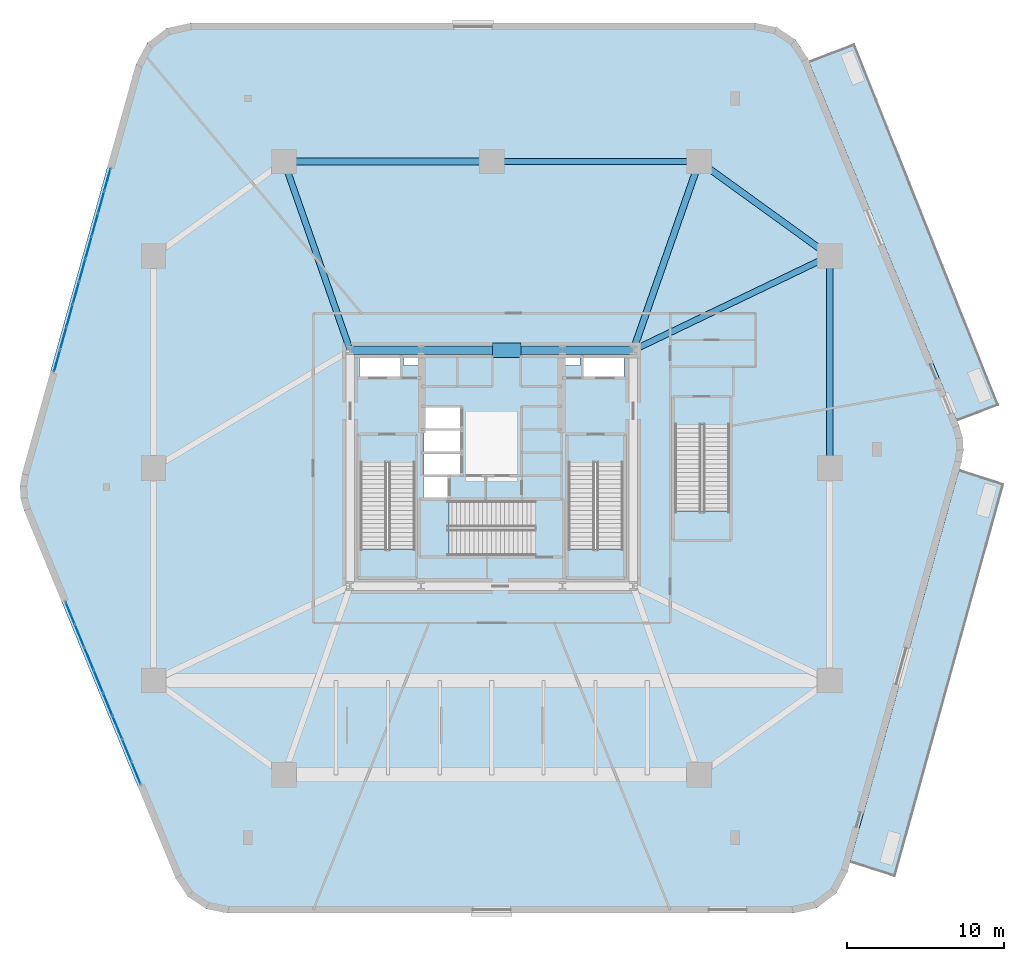
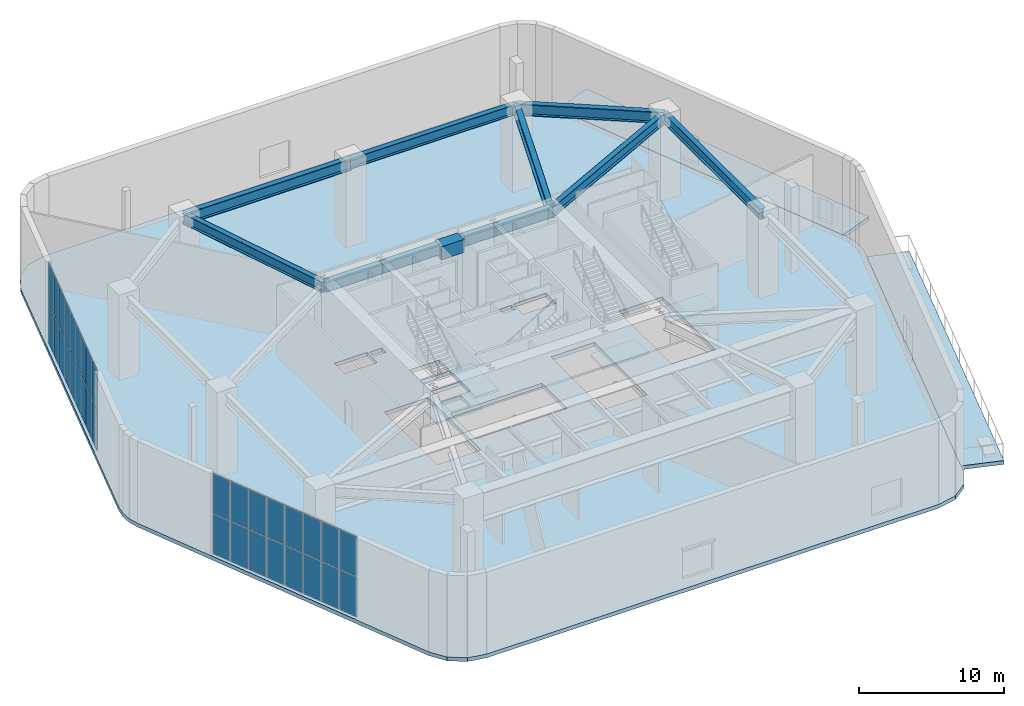
# One storey, part 9 of 17: 34 plates, 11 beams, 7 slabs, 6 elements without a shape of their own.
"""IFC4 building model written with IfcOpenShell, lengths in metres."""

import ifcopenshell
import ifcopenshell.guid

model = None  # the IFC model being written
_history = None  # IfcOwnerHistory: only IFC2X3 demands one
_inside = {}  # id of a spatial element -> (the spatial element, [elements in it])
_under = {}  # id of a project, library or spatial element -> (it, [spatial elements below it])
_declared = {}  # id of a project -> (the project, [libraries it declares])
_typed = {}  # id of a type object -> (the type object, [elements of that type])
_made_of = {}  # id of a material, layer set ... -> (it, [elements and type objects made of it])


def new_model(schema):
    """Start an empty IFC model of exactly this schema.

    Asked for "IFC4X3", IfcOpenShell would pick the latest addendum, in which some entities
    have other attributes; the version numbers below select the first issue.
    IFC2X3 requires an IfcOwnerHistory on every rooted entity: one is made here for all.
    """
    global model, _history
    if schema == "IFC4X3":
        model = ifcopenshell.file(schema_version=(4, 3, 0, 0))
    else:
        model = ifcopenshell.file(schema=schema)
    _inside.clear()
    _under.clear()
    _declared.clear()
    _typed.clear()
    _made_of.clear()
    _history = None
    if model.schema == "IFC2X3":
        org = make("IfcOrganization", Name="unknown")
        user = make(
            "IfcPersonAndOrganization",
            ThePerson=make("IfcPerson", FamilyName="unknown"),
            TheOrganization=org,
        )
        app = make(
            "IfcApplication",
            ApplicationDeveloper=org,
            Version="unknown",
            ApplicationFullName="unknown",
            ApplicationIdentifier="unknown",
        )
        _history = make(
            "IfcOwnerHistory",
            OwningUser=user,
            OwningApplication=app,
            ChangeAction="ADDED",
            CreationDate=0,
        )
    return model


def make(cls, **values):
    """One entity of the class cls with the attributes given. An attribute that is None is left unset."""
    return model.create_entity(
        cls, **{name: value for name, value in values.items() if value is not None}
    )


def rooted(cls, **values):
    """An entity with a GlobalId (a new one), such as an element, a storey or a relation."""
    return make(cls, GlobalId=ifcopenshell.guid.new(), OwnerHistory=_history, **values)


def si_unit(unit_type, name, prefix=None):
    """IfcSIUnit, for example si_unit("LENGTHUNIT", "METRE", prefix="MILLI")."""
    return make("IfcSIUnit", UnitType=unit_type, Prefix=prefix, Name=name)


def assignment(units):
    """IfcUnitAssignment: the units of a project."""
    return None if units is None else make("IfcUnitAssignment", Units=units)


def point(xyz):
    """IfcCartesianPoint."""
    return None if xyz is None else make("IfcCartesianPoint", Coordinates=xyz)


def direction(xyz):
    """IfcDirection."""
    return None if xyz is None else make("IfcDirection", DirectionRatios=xyz)


def frame(location, z_axis=None, x_axis=None):
    """IfcAxis2Placement3D, a coordinate frame: its origin and axes. An axis left out is left unset."""
    return make(
        "IfcAxis2Placement3D",
        Location=point(location),
        Axis=direction(z_axis),
        RefDirection=direction(x_axis),
    )


def frame_2d(location, x_axis=None):
    """IfcAxis2Placement2D, a coordinate frame in the plane: its origin and x axis."""
    return make(
        "IfcAxis2Placement2D", Location=point(location), RefDirection=direction(x_axis)
    )


def origin():
    """The frame at (0, 0, 0) with its axes left unset."""
    return frame((0.0, 0.0, 0.0))


def origin_2d():
    """The frame at (0, 0) in the plane with its x axis left unset."""
    return frame_2d((0.0, 0.0))


def place(relative_to, where):
    """IfcLocalPlacement: puts the frame where relative to a parent placement (None: the world)."""
    return make(
        "IfcLocalPlacement", PlacementRelTo=relative_to, RelativePlacement=where
    )


def context(
    kind, dimensions, precision=None, world=None, true_north=None, identifier=None
):
    """IfcGeometricRepresentationContext, for example the 3D "Model" context."""
    return make(
        "IfcGeometricRepresentationContext",
        ContextIdentifier=identifier,
        ContextType=kind,
        CoordinateSpaceDimension=dimensions,
        Precision=precision,
        WorldCoordinateSystem=world,
        TrueNorth=true_north,
    )


def subcontext(parent, identifier, kind, view, scale=None):
    """IfcGeometricRepresentationSubContext, for example "Body" below "Model"."""
    return make(
        "IfcGeometricRepresentationSubContext",
        ContextIdentifier=identifier,
        ContextType=kind,
        ParentContext=parent,
        TargetScale=scale,
        TargetView=view,
    )


def project(units=None, contexts=None):
    """IfcProject with its units and contexts."""
    return rooted(
        "IfcProject",
        Name="project",
        RepresentationContexts=contexts,
        UnitsInContext=assignment(units),
    )


def spatial(cls, under=None, at=None, **own):
    """A site, building, storey or space (cls), placed at a placement, below another one or the project."""
    s = rooted(cls, ObjectPlacement=at, **own)
    if under is not None:
        _under.setdefault(under.id(), (under, []))[1].append(s)
    return s


def polyline(points):
    """IfcPolyline through the points."""
    return make("IfcPolyline", Points=[point(p) for p in points])


def profile(cls, at=None, kind="AREA", **sizes):
    """A parametric profile (cls). Its sizes go by their IFC names, for example OverallWidth=200.0."""
    return make(cls, ProfileType=kind, Position=at, **sizes)


def rectangle(**sizes):
    """IfcRectangleProfileDef."""
    return profile("IfcRectangleProfileDef", **sizes)


def i_section(**sizes):
    """IfcIShapeProfileDef."""
    return profile("IfcIShapeProfileDef", **sizes)


def outline(outer, holes=None, kind="AREA"):
    """IfcArbitraryClosedProfileDef: a profile drawn as a closed curve; with holes, ...WithVoids."""
    if holes is None:
        return make("IfcArbitraryClosedProfileDef", ProfileType=kind, OuterCurve=outer)
    return make(
        "IfcArbitraryProfileDefWithVoids",
        ProfileType=kind,
        OuterCurve=outer,
        InnerCurves=holes,
    )


def extrude(swept, where, along, depth):
    """IfcExtrudedAreaSolid: the profile swept, set in the frame where, extruded along a direction by depth."""
    return make(
        "IfcExtrudedAreaSolid",
        SweptArea=swept,
        Position=where,
        ExtrudedDirection=direction(along),
        Depth=depth,
    )


def shape(context_of_items, identifier, shape_type, items):
    """IfcShapeRepresentation: the items that make up one representation, for example the "Body"."""
    return make(
        "IfcShapeRepresentation",
        ContextOfItems=context_of_items,
        RepresentationIdentifier=identifier,
        RepresentationType=shape_type,
        Items=items,
    )


def material(Name=None, Category=None):
    """IfcMaterial."""
    return make("IfcMaterial", Name=Name, Category=Category)


def layer(
    of_material, thickness, ventilated=None, Name=None, Category=None, Priority=None
):
    """IfcMaterialLayer: one layer of a wall or slab, of a material (None: an air gap)."""
    return make(
        "IfcMaterialLayer",
        Material=of_material,
        LayerThickness=thickness,
        IsVentilated=ventilated,
        Name=Name,
        Category=Category,
        Priority=Priority,
    )


def layer_set(layers, Name=None):
    """IfcMaterialLayerSet."""
    return make("IfcMaterialLayerSet", MaterialLayers=layers, LayerSetName=Name)


def material_profile(
    of_material, cross_section, Name=None, Category=None, Priority=None
):
    """IfcMaterialProfile: a cross section and its material."""
    return make(
        "IfcMaterialProfile",
        Name=Name,
        Material=of_material,
        Profile=cross_section,
        Priority=Priority,
        Category=Category,
    )


def profile_set(profiles, Name=None, composite=None):
    """IfcMaterialProfileSet."""
    return make(
        "IfcMaterialProfileSet",
        Name=Name,
        MaterialProfiles=profiles,
        CompositeProfile=composite,
    )


def made_of(thing, what):
    """Note that an element or type object is made of a material, layer set ...; save() writes the relation."""
    if what is not None:
        _made_of.setdefault(what.id(), (what, []))[1].append(thing)
    return thing


def type_object(cls, material=None, **own):
    """A type object (cls), such as IfcWallType, which elements share."""
    return made_of(rooted(cls, **own), material)


def element(
    cls,
    number,
    at=None,
    inside=None,
    cuts=None,
    type_object=None,
    material=None,
    context=None,
    identifier="Body",
    shape_type=None,
    held_by="IfcProductDefinitionShape",
    body=None,
    shapes=None,
    **own,
):
    """One element of the class cls, such as IfcWall. Its Tag is "e" and its number.

    at: its placement. inside: the storey or other place that contains it. cuts: it is an
    opening in that element (IfcRelVoidsElement). A single representation is given by context,
    identifier, shape_type and body (its items); several are given by shapes. held_by: the class
    of the entity that holds the representations. save() writes the other relations.
    """
    e = rooted(cls, Tag="e%d" % number, ObjectPlacement=at, **own)
    if body is not None:
        shapes = [shape(context, identifier, shape_type, body)]
    if shapes is not None:
        e.Representation = make(held_by, Representations=shapes)
    if inside is not None:
        _inside.setdefault(inside.id(), (inside, []))[1].append(e)
    if cuts is not None:
        rooted(
            "IfcRelVoidsElement", RelatingBuildingElement=cuts, RelatedOpeningElement=e
        )
    if type_object is not None:
        _typed.setdefault(type_object.id(), (type_object, []))[1].append(e)
    return made_of(e, material)


def aggregate(whole, parts):
    """IfcRelAggregates: a whole, such as a stair, and the parts it consists of."""
    return rooted("IfcRelAggregates", RelatingObject=whole, RelatedObjects=parts)


def save(model, path):
    """Write the relations noted so far, then the file.

    IfcRelAggregates (storeys below a building ...), IfcRelContainedInSpatialStructure (elements
    in a storey), IfcRelDefinesByType, IfcRelAssociatesMaterial and IfcRelDeclares: one each for
    every whole, place, type object, material and project.
    """
    for whole, parts in _under.values():
        aggregate(whole, parts)
    for where, things in _inside.values():
        rooted(
            "IfcRelContainedInSpatialStructure",
            RelatedElements=things,
            RelatingStructure=where,
        )
    for kind, things in _typed.values():
        rooted("IfcRelDefinesByType", RelatedObjects=things, RelatingType=kind)
    for what, things in _made_of.values():
        rooted("IfcRelAssociatesMaterial", RelatedObjects=things, RelatingMaterial=what)
    for by, libraries in _declared.values():
        rooted("IfcRelDeclares", RelatingContext=by, RelatedDefinitions=libraries)
    model.write(path)


model = new_model("IFC4")

# Units and contexts
model_context = context("Model", 3, precision=1e-05, world=origin(), true_north=direction((0.0, 1.0)))
body_context = subcontext(model_context, "Body", "Model", "MODEL_VIEW")
ifc_project = project(units=[si_unit("LENGTHUNIT", "METRE"), si_unit("AREAUNIT", "SQUARE_METRE"), si_unit("VOLUMEUNIT", "CUBIC_METRE"), si_unit("PLANEANGLEUNIT", "RADIAN"), si_unit("MASSUNIT", "GRAM", prefix="KILO")], contexts=[model_context])

# Site, building, storey
site_placement = place(None, origin())
site = spatial("IfcSite", under=ifc_project, at=site_placement, CompositionType="ELEMENT")
building_placement = place(site_placement, origin())
building = spatial("IfcBuilding", under=site, at=building_placement, Name="Kilnhurst Terrace Hotel", CompositionType="ELEMENT")
storey_placement = place(building_placement, frame((0.0, 0.0, 11.39990234375)))
storey = spatial("IfcBuildingStorey", under=building, at=storey_placement, Name="L02", CompositionType="ELEMENT", Elevation=11.39990234375)

# Beams
ifc_material_1 = material(Name="Concrete C50/60", Category="concrete")
ifc_material_profile_1 = material_profile(ifc_material_1, rectangle(XDim=0.550048828125, YDim=0.75, at=origin_2d()), Name="RC550X750")
ifc_profile_set_1 = profile_set([ifc_material_profile_1], Name="Concrete C50/60")
beam_type_1 = type_object("IfcBeamType", Name="BM-SPN-550X750", PredefinedType="SPANDREL", material=ifc_profile_set_1)
beam_1_placement = place(storey_placement, frame((-9.0, 7.5, 6.505126953125), z_axis=(1.0, 0.0, 0.0), x_axis=(0.0, 1.0, 0.0)))
element("IfcBeam", 1, at=beam_1_placement, inside=storey, type_object=beam_type_1, Name="L02 Core Tie Beam CC-NW to CC-NC1", PredefinedType="SPANDREL", context=body_context, shape_type="SweptSolid", body=[
    extrude(rectangle(XDim=0.550048828125, YDim=0.75, at=origin_2d()), origin(), (0.0, 0.0, 1.0), 4.5),
])
beam_2_placement = place(storey_placement, frame((-4.5, 7.5, 6.505126953125), z_axis=(1.0, 0.0, 0.0), x_axis=(0.0, 1.0, 0.0)))
element("IfcBeam", 2, at=beam_2_placement, inside=storey, type_object=beam_type_1, Name="L02 Core Tie Beam CC-NC1 to CC-NC2", PredefinedType="SPANDREL", context=body_context, shape_type="SweptSolid", body=[
    extrude(rectangle(XDim=0.550048828125, YDim=0.75, at=origin_2d()), origin(), (0.0, 0.0, 1.0), 9.0),
])
beam_3_placement = place(storey_placement, frame((4.5, 7.5, 6.505126953125), z_axis=(1.0, 0.0, 0.0), x_axis=(0.0, 1.0, 0.0)))
element("IfcBeam", 3, at=beam_3_placement, inside=storey, type_object=beam_type_1, Name="L02 Core Tie Beam CC-NC2 to CC-NE", PredefinedType="SPANDREL", context=body_context, shape_type="SweptSolid", body=[
    extrude(rectangle(XDim=0.550048828125, YDim=0.75, at=origin_2d()), origin(), (0.0, 0.0, 1.0), 4.5),
])
ifc_material_2 = material(Name="Steel ASTM A992 Grade 50", Category="steel")
ifc_material_profile_2 = material_profile(ifc_material_2, i_section(OverallWidth=0.39990234375, OverallDepth=0.85546875, WebThickness=0.018310546875, FlangeThickness=0.029296875, at=origin_2d()), Name="W33X201")
ifc_profile_set_2 = profile_set([ifc_material_profile_2], Name="Steel ASTM A992 Grade 50")
beam_type_2 = type_object("IfcBeamType", Name="BM-STL-W33X201", PredefinedType="BEAM", material=ifc_profile_set_2)
beam_4_placement = place(storey_placement, frame((0.0, 19.5, 6.4521484375), z_axis=(1.0, 0.0, 0.0), x_axis=(0.0, 1.0, 0.0)))
element("IfcBeam", 4, at=beam_4_placement, inside=storey, type_object=beam_type_2, Name="L02 Podium Frame Beam 5", PredefinedType="BEAM", context=body_context, shape_type="SweptSolid", body=[
    extrude(i_section(OverallWidth=0.39990234375, OverallDepth=0.85546875, WebThickness=0.018310546875, FlangeThickness=0.029296875, at=origin_2d()), origin(), (0.0, 0.0, 1.0), 13.199951171875),
])
beam_5_placement = place(storey_placement, frame((21.5, 13.5, 6.4521484375), z_axis=(0.0, -1.0, 0.0), x_axis=(1.0, 0.0, 0.0)))
element("IfcBeam", 5, at=beam_5_placement, inside=storey, type_object=beam_type_2, Name="L02 Podium Frame Beam 7", PredefinedType="BEAM", context=body_context, shape_type="SweptSolid", body=[
    extrude(i_section(OverallWidth=0.39990234375, OverallDepth=0.85546875, WebThickness=0.018310546875, FlangeThickness=0.029296875, at=origin_2d()), origin(), (0.0, 0.0, 1.0), 13.5),
])
beam_6_placement = place(storey_placement, frame((21.5, 13.5, 6.4521484375), z_axis=(-0.901523057468, -0.432731067585, 0.0), x_axis=(0.432731067585, -0.901523057468, 0.0)))
element("IfcBeam", 6, at=beam_6_placement, inside=storey, type_object=beam_type_2, Name="L02 Podium Frame Beam 11", PredefinedType="BEAM", context=body_context, shape_type="SweptSolid", body=[
    extrude(i_section(OverallWidth=0.39990234375, OverallDepth=0.85546875, WebThickness=0.018310546875, FlangeThickness=0.029296875, at=origin_2d()), origin(), (0.0, 0.0, 1.0), 13.865478515625),
])
beam_7_placement = place(storey_placement, frame((-13.199951171875, 19.5, 6.4521484375), z_axis=(0.330347003279, -0.943859553866, 0.0), x_axis=(0.943859553866, 0.330347003279, 0.0)))
element("IfcBeam", 7, at=beam_7_placement, inside=storey, type_object=beam_type_2, Name="L02 Podium Frame Beam 13", PredefinedType="BEAM", context=body_context, shape_type="SweptSolid", body=[
    extrude(i_section(OverallWidth=0.39990234375, OverallDepth=0.85546875, WebThickness=0.018310546875, FlangeThickness=0.029296875, at=origin_2d()), origin(), (0.0, 0.0, 1.0), 12.7138671875),
])
ifc_material_profile_3 = material_profile(ifc_material_2, i_section(OverallWidth=0.423095703125, OverallDepth=0.9482421875, WebThickness=0.02392578125, FlangeThickness=0.042724609375, at=origin_2d()), Name="W36X302")
ifc_profile_set_3 = profile_set([ifc_material_profile_3], Name="Steel ASTM A992 Grade 50")
beam_type_3 = type_object("IfcBeamType", Name="BM-STL-W36X302", PredefinedType="BEAM", material=ifc_profile_set_3)
beam_8_placement = place(storey_placement, frame((-13.199951171875, 19.5, 6.406005859375), z_axis=(1.0, 0.0, 0.0), x_axis=(0.0, 1.0, 0.0)))
element("IfcBeam", 8, at=beam_8_placement, inside=storey, type_object=beam_type_3, Name="L02 Podium Frame Beam 4", PredefinedType="BEAM", context=body_context, shape_type="SweptSolid", body=[
    extrude(i_section(OverallWidth=0.423095703125, OverallDepth=0.9482421875, WebThickness=0.02392578125, FlangeThickness=0.042724609375, at=origin_2d()), origin(), (0.0, 0.0, 1.0), 13.199951171875),
])
beam_9_placement = place(storey_placement, frame((13.199951171875, 19.5, 6.406005859375), z_axis=(0.810423314702, -0.585844732833, 0.0), x_axis=(0.585844732833, 0.810423314702, 0.0)))
element("IfcBeam", 9, at=beam_9_placement, inside=storey, type_object=beam_type_3, Name="L02 Podium Frame Beam 6", PredefinedType="BEAM", context=body_context, shape_type="SweptSolid", body=[
    extrude(i_section(OverallWidth=0.423095703125, OverallDepth=0.9482421875, WebThickness=0.02392578125, FlangeThickness=0.042724609375, at=origin_2d()), origin(), (0.0, 0.0, 1.0), 10.24169921875),
])
beam_10_placement = place(storey_placement, frame((13.199951171875, 19.5, 6.406005859375), z_axis=(-0.330347003279, -0.943859553866, 0.0), x_axis=(0.943859553866, -0.330347003279, 0.0)))
element("IfcBeam", 10, at=beam_10_placement, inside=storey, type_object=beam_type_3, Name="L02 Podium Frame Beam 14", PredefinedType="BEAM", context=body_context, shape_type="SweptSolid", body=[
    extrude(i_section(OverallWidth=0.423095703125, OverallDepth=0.9482421875, WebThickness=0.02392578125, FlangeThickness=0.042724609375, at=origin_2d()), origin(), (0.0, 0.0, 1.0), 12.7138671875),
])
ifc_material_3 = material(Name="Concrete C80/95", Category="concrete")
ifc_material_profile_4 = material_profile(ifc_material_3, rectangle(XDim=0.89990234375, YDim=1.10009765625, at=origin_2d()), Name="RC900X1100")
ifc_profile_set_4 = profile_set([ifc_material_profile_4], Name="Concrete C80/95")
beam_type_4 = type_object("IfcBeamType", Name="LNT-CB-900X1100", PredefinedType="LINTEL", material=ifc_profile_set_4)
beam_11_placement = place(storey_placement, frame((0.050048828125, 7.5, 6.330078125), z_axis=(1.0, 0.0, 0.0), x_axis=(0.0, 1.0, 0.0)))
element("IfcBeam", 11, at=beam_11_placement, inside=storey, type_object=beam_type_4, Name="L02 North Core Coupling Link Beam", PredefinedType="LINTEL", context=body_context, shape_type="SweptSolid", body=[
    extrude(rectangle(XDim=0.89990234375, YDim=1.10009765625, at=origin_2d()), origin(), (0.0, 0.0, 1.0), 1.800048828125),
])

# Curtain wall, plates
ifc_material_4 = material(Name="Anodized Aluminium Alloy 6063-T6 and Low-E Glass", Category="aluminium")
ifc_layer_1 = layer(ifc_material_4, 0.219970703125, Name="Anodized Aluminium Alloy 6063-T6 and Low-E Glass")
ifc_layer_set_1 = layer_set([ifc_layer_1], Name="Anodized Aluminium Alloy 6063-T6 and Low-E Glass")
curtain_wall_type = type_object("IfcCurtainWallType", Name="CW-POD-TERR", PredefinedType="NOTDEFINED", material=ifc_layer_set_1)
curtain_wall_1_placement = place(storey_placement, origin())
curtain_wall_1 = element("IfcCurtainWall", 12, at=curtain_wall_1_placement, inside=storey, type_object=curtain_wall_type, Name="L02 Curtain Wall CW-L02-F5-1", PredefinedType="NOTDEFINED")
ifc_material_5 = material(Name="Triple Laminated Low-E Hurricane Insulated Glass", Category="glass")
ifc_layer_2 = layer(ifc_material_5, 0.031982421875, Name="Triple Laminated Low-E Hurricane Insulated Glass")
ifc_layer_set_2 = layer_set([ifc_layer_2], Name="Triple Laminated Low-E Hurricane Insulated Glass")
plate_type = type_object("IfcPlateType", Name="PNL-GLZ-32", PredefinedType="CURTAIN_PANEL", material=ifc_layer_set_2)
plate_1_placement = place(storey_placement, frame((-24.430908203125, 18.34375, 0.070068359375), z_axis=(0.0, 0.0, 1.0), x_axis=(-0.267992147673, -0.963421096295, 0.0)))
plate_1 = element("IfcPlate", 13, at=plate_1_placement, type_object=plate_type, Name="CWT-2 panel 1.1", PredefinedType="CURTAIN_PANEL", context=body_context, shape_type="SweptSolid", body=[
    extrude(rectangle(XDim=1.393798828125, YDim=0.031982421875, at=origin_2d()), origin(), (0.0, 0.0, 1.0), 3.3349609375),
])
plate_2_placement = place(storey_placement, frame((-24.430908203125, 18.34375, 3.47509765625), z_axis=(0.0, 0.0, 1.0), x_axis=(-0.267992147673, -0.963421096295, 0.0)))
plate_2 = element("IfcPlate", 14, at=plate_2_placement, type_object=plate_type, Name="CWT-2 panel 1.2", PredefinedType="CURTAIN_PANEL", context=body_context, shape_type="SweptSolid", body=[
    extrude(rectangle(XDim=1.393798828125, YDim=0.031982421875, at=origin_2d()), origin(), (0.0, 0.0, 1.0), 3.3349609375),
])
plate_3_placement = place(storey_placement, frame((-24.827880859375, 16.91650390625, 0.070068359375), z_axis=(0.0, 0.0, 1.0), x_axis=(-0.267992147673, -0.963421096295, 0.0)))
plate_3 = element("IfcPlate", 15, at=plate_3_placement, type_object=plate_type, Name="CWT-2 panel 2.1", PredefinedType="CURTAIN_PANEL", context=body_context, shape_type="SweptSolid", body=[
    extrude(rectangle(XDim=1.428955078125, YDim=0.031982421875, at=origin_2d()), origin(), (0.0, 0.0, 1.0), 3.3349609375),
])
plate_4_placement = place(storey_placement, frame((-24.827880859375, 16.91650390625, 3.47509765625), z_axis=(0.0, 0.0, 1.0), x_axis=(-0.267992147673, -0.963421096295, 0.0)))
plate_4 = element("IfcPlate", 16, at=plate_4_placement, type_object=plate_type, Name="CWT-2 panel 2.2", PredefinedType="CURTAIN_PANEL", context=body_context, shape_type="SweptSolid", body=[
    extrude(rectangle(XDim=1.428955078125, YDim=0.031982421875, at=origin_2d()), origin(), (0.0, 0.0, 1.0), 3.3349609375),
])
plate_5_placement = place(storey_placement, frame((-25.229736328125, 15.472412109375, 0.070068359375), z_axis=(0.0, 0.0, 1.0), x_axis=(-0.267992147673, -0.963421096295, 0.0)))
plate_5 = element("IfcPlate", 17, at=plate_5_placement, type_object=plate_type, Name="CWT-2 panel 3.1", PredefinedType="CURTAIN_PANEL", context=body_context, shape_type="SweptSolid", body=[
    extrude(rectangle(XDim=1.428955078125, YDim=0.031982421875, at=origin_2d()), origin(), (0.0, 0.0, 1.0), 3.3349609375),
])
plate_6_placement = place(storey_placement, frame((-25.229736328125, 15.472412109375, 3.47509765625), z_axis=(0.0, 0.0, 1.0), x_axis=(-0.267992147673, -0.963421096295, 0.0)))
plate_6 = element("IfcPlate", 18, at=plate_6_placement, type_object=plate_type, Name="CWT-2 panel 3.2", PredefinedType="CURTAIN_PANEL", context=body_context, shape_type="SweptSolid", body=[
    extrude(rectangle(XDim=1.428955078125, YDim=0.031982421875, at=origin_2d()), origin(), (0.0, 0.0, 1.0), 3.3349609375),
])
plate_7_placement = place(storey_placement, frame((-25.63134765625, 14.0283203125, 0.070068359375), z_axis=(0.0, 0.0, 1.0), x_axis=(-0.267992147673, -0.963421096295, 0.0)))
plate_7 = element("IfcPlate", 19, at=plate_7_placement, type_object=plate_type, Name="CWT-2 panel 4.1", PredefinedType="CURTAIN_PANEL", context=body_context, shape_type="SweptSolid", body=[
    extrude(rectangle(XDim=1.428955078125, YDim=0.031982421875, at=origin_2d()), origin(), (0.0, 0.0, 1.0), 3.3349609375),
])
plate_8_placement = place(storey_placement, frame((-25.63134765625, 14.0283203125, 3.47509765625), z_axis=(0.0, 0.0, 1.0), x_axis=(-0.267992147673, -0.963421096295, 0.0)))
plate_8 = element("IfcPlate", 20, at=plate_8_placement, type_object=plate_type, Name="CWT-2 panel 4.2", PredefinedType="CURTAIN_PANEL", context=body_context, shape_type="SweptSolid", body=[
    extrude(rectangle(XDim=1.428955078125, YDim=0.031982421875, at=origin_2d()), origin(), (0.0, 0.0, 1.0), 3.3349609375),
])
plate_9_placement = place(storey_placement, frame((-26.032958984375, 12.584228515625, 0.070068359375), z_axis=(0.0, 0.0, 1.0), x_axis=(-0.267992147673, -0.963421096295, 0.0)))
plate_9 = element("IfcPlate", 21, at=plate_9_placement, type_object=plate_type, Name="CWT-2 panel 5.1", PredefinedType="CURTAIN_PANEL", context=body_context, shape_type="SweptSolid", body=[
    extrude(rectangle(XDim=1.428955078125, YDim=0.031982421875, at=origin_2d()), origin(), (0.0, 0.0, 1.0), 3.3349609375),
])
plate_10_placement = place(storey_placement, frame((-26.032958984375, 12.584228515625, 3.47509765625), z_axis=(0.0, 0.0, 1.0), x_axis=(-0.267992147673, -0.963421096295, 0.0)))
plate_10 = element("IfcPlate", 22, at=plate_10_placement, type_object=plate_type, Name="CWT-2 panel 5.2", PredefinedType="CURTAIN_PANEL", context=body_context, shape_type="SweptSolid", body=[
    extrude(rectangle(XDim=1.428955078125, YDim=0.031982421875, at=origin_2d()), origin(), (0.0, 0.0, 1.0), 3.3349609375),
])
plate_11_placement = place(storey_placement, frame((-26.4345703125, 11.140380859375, 0.070068359375), z_axis=(0.0, 0.0, 1.0), x_axis=(-0.267992147673, -0.963421096295, 0.0)))
plate_11 = element("IfcPlate", 23, at=plate_11_placement, type_object=plate_type, Name="CWT-2 panel 6.1", PredefinedType="CURTAIN_PANEL", context=body_context, shape_type="SweptSolid", body=[
    extrude(rectangle(XDim=1.428955078125, YDim=0.031982421875, at=origin_2d()), origin(), (0.0, 0.0, 1.0), 3.3349609375),
])
plate_12_placement = place(storey_placement, frame((-26.4345703125, 11.140380859375, 3.47509765625), z_axis=(0.0, 0.0, 1.0), x_axis=(-0.267992147673, -0.963421096295, 0.0)))
plate_12 = element("IfcPlate", 24, at=plate_12_placement, type_object=plate_type, Name="CWT-2 panel 6.2", PredefinedType="CURTAIN_PANEL", context=body_context, shape_type="SweptSolid", body=[
    extrude(rectangle(XDim=1.428955078125, YDim=0.031982421875, at=origin_2d()), origin(), (0.0, 0.0, 1.0), 3.3349609375),
])
plate_13_placement = place(storey_placement, frame((-26.83642578125, 9.6962890625, 0.070068359375), z_axis=(0.0, 0.0, 1.0), x_axis=(-0.267992147673, -0.963421096295, 0.0)))
plate_13 = element("IfcPlate", 25, at=plate_13_placement, type_object=plate_type, Name="CWT-2 panel 7.1", PredefinedType="CURTAIN_PANEL", context=body_context, shape_type="SweptSolid", body=[
    extrude(rectangle(XDim=1.428955078125, YDim=0.031982421875, at=origin_2d()), origin(), (0.0, 0.0, 1.0), 3.3349609375),
])
plate_14_placement = place(storey_placement, frame((-26.83642578125, 9.6962890625, 3.47509765625), z_axis=(0.0, 0.0, 1.0), x_axis=(-0.267992147673, -0.963421096295, 0.0)))
plate_14 = element("IfcPlate", 26, at=plate_14_placement, type_object=plate_type, Name="CWT-2 panel 7.2", PredefinedType="CURTAIN_PANEL", context=body_context, shape_type="SweptSolid", body=[
    extrude(rectangle(XDim=1.428955078125, YDim=0.031982421875, at=origin_2d()), origin(), (0.0, 0.0, 1.0), 3.3349609375),
])
plate_15_placement = place(storey_placement, frame((-27.238037109375, 8.252197265625, 0.070068359375), z_axis=(0.0, 0.0, 1.0), x_axis=(-0.267992147673, -0.963421096295, 0.0)))
plate_15 = element("IfcPlate", 27, at=plate_15_placement, type_object=plate_type, Name="CWT-2 panel 8.1", PredefinedType="CURTAIN_PANEL", context=body_context, shape_type="SweptSolid", body=[
    extrude(rectangle(XDim=1.428955078125, YDim=0.031982421875, at=origin_2d()), origin(), (0.0, 0.0, 1.0), 3.3349609375),
])
plate_16_placement = place(storey_placement, frame((-27.238037109375, 8.252197265625, 3.47509765625), z_axis=(0.0, 0.0, 1.0), x_axis=(-0.267992147673, -0.963421096295, 0.0)))
plate_16 = element("IfcPlate", 28, at=plate_16_placement, type_object=plate_type, Name="CWT-2 panel 8.2", PredefinedType="CURTAIN_PANEL", context=body_context, shape_type="SweptSolid", body=[
    extrude(rectangle(XDim=1.428955078125, YDim=0.031982421875, at=origin_2d()), origin(), (0.0, 0.0, 1.0), 3.3349609375),
])
plate_17_placement = place(storey_placement, frame((-27.635009765625, 6.824951171875, 0.070068359375), z_axis=(0.0, 0.0, 1.0), x_axis=(-0.267992147673, -0.963421096295, 0.0)))
plate_17 = element("IfcPlate", 29, at=plate_17_placement, type_object=plate_type, Name="CWT-2 panel 9.1", PredefinedType="CURTAIN_PANEL", context=body_context, shape_type="SweptSolid", body=[
    extrude(rectangle(XDim=1.393798828125, YDim=0.031982421875, at=origin_2d()), origin(), (0.0, 0.0, 1.0), 3.3349609375),
])
plate_18_placement = place(storey_placement, frame((-27.635009765625, 6.824951171875, 3.47509765625), z_axis=(0.0, 0.0, 1.0), x_axis=(-0.267992147673, -0.963421096295, 0.0)))
plate_18 = element("IfcPlate", 30, at=plate_18_placement, type_object=plate_type, Name="CWT-2 panel 9.2", PredefinedType="CURTAIN_PANEL", context=body_context, shape_type="SweptSolid", body=[
    extrude(rectangle(XDim=1.393798828125, YDim=0.031982421875, at=origin_2d()), origin(), (0.0, 0.0, 1.0), 3.3349609375),
])
aggregate(curtain_wall_1, [plate_1, plate_2, plate_3, plate_4, plate_5, plate_6, plate_7, plate_8, plate_9, plate_10, plate_11, plate_12, plate_13, plate_14, plate_15, plate_16, plate_17, plate_18])

curtain_wall_2_placement = place(storey_placement, origin())
curtain_wall_2 = element("IfcCurtainWall", 31, at=curtain_wall_2_placement, inside=storey, type_object=curtain_wall_type, Name="L02 Curtain Wall CW-L02-F6-1", PredefinedType="NOTDEFINED")
plate_19_placement = place(storey_placement, frame((-26.80322265625, -9.20703125, 0.070068359375), z_axis=(0.0, 0.0, 1.0), x_axis=(0.381072947615, -0.924544973809, 0.0)))
plate_19 = element("IfcPlate", 32, at=plate_19_placement, type_object=plate_type, Name="CWT-2 panel 1.1", PredefinedType="CURTAIN_PANEL", context=body_context, shape_type="SweptSolid", body=[
    extrude(rectangle(XDim=1.47265625, YDim=0.031982421875, at=origin_2d()), origin(), (0.0, 0.0, 1.0), 3.3349609375),
])
plate_20_placement = place(storey_placement, frame((-26.80322265625, -9.20703125, 3.47509765625), z_axis=(0.0, 0.0, 1.0), x_axis=(0.381072947615, -0.924544973809, 0.0)))
plate_20 = element("IfcPlate", 33, at=plate_20_placement, type_object=plate_type, Name="CWT-2 panel 1.2", PredefinedType="CURTAIN_PANEL", context=body_context, shape_type="SweptSolid", body=[
    extrude(rectangle(XDim=1.47265625, YDim=0.031982421875, at=origin_2d()), origin(), (0.0, 0.0, 1.0), 3.3349609375),
])
plate_21_placement = place(storey_placement, frame((-26.208740234375, -10.6494140625, 0.070068359375), z_axis=(0.0, 0.0, 1.0), x_axis=(0.381072947615, -0.924544973809, 0.0)))
plate_21 = element("IfcPlate", 34, at=plate_21_placement, type_object=plate_type, Name="CWT-2 panel 2.1", PredefinedType="CURTAIN_PANEL", context=body_context, shape_type="SweptSolid", body=[
    extrude(rectangle(XDim=1.5078125, YDim=0.031982421875, at=origin_2d()), origin(), (0.0, 0.0, 1.0), 3.3349609375),
])
plate_22_placement = place(storey_placement, frame((-26.208740234375, -10.6494140625, 3.47509765625), z_axis=(0.0, 0.0, 1.0), x_axis=(0.381072947615, -0.924544973809, 0.0)))
plate_22 = element("IfcPlate", 35, at=plate_22_placement, type_object=plate_type, Name="CWT-2 panel 2.2", PredefinedType="CURTAIN_PANEL", context=body_context, shape_type="SweptSolid", body=[
    extrude(rectangle(XDim=1.5078125, YDim=0.031982421875, at=origin_2d()), origin(), (0.0, 0.0, 1.0), 3.3349609375),
])
plate_23_placement = place(storey_placement, frame((-25.607421875, -12.108154296875, 0.070068359375), z_axis=(0.0, 0.0, 1.0), x_axis=(0.381072947615, -0.924544973809, 0.0)))
plate_23 = element("IfcPlate", 36, at=plate_23_placement, type_object=plate_type, Name="CWT-2 panel 3.1", PredefinedType="CURTAIN_PANEL", context=body_context, shape_type="SweptSolid", body=[
    extrude(rectangle(XDim=1.5078125, YDim=0.031982421875, at=origin_2d()), origin(), (0.0, 0.0, 1.0), 3.3349609375),
])
plate_24_placement = place(storey_placement, frame((-25.607421875, -12.108154296875, 3.47509765625), z_axis=(0.0, 0.0, 1.0), x_axis=(0.381072947615, -0.924544973809, 0.0)))
plate_24 = element("IfcPlate", 37, at=plate_24_placement, type_object=plate_type, Name="CWT-2 panel 3.2", PredefinedType="CURTAIN_PANEL", context=body_context, shape_type="SweptSolid", body=[
    extrude(rectangle(XDim=1.5078125, YDim=0.031982421875, at=origin_2d()), origin(), (0.0, 0.0, 1.0), 3.3349609375),
])
plate_25_placement = place(storey_placement, frame((-25.00634765625, -13.56689453125, 0.070068359375), z_axis=(0.0, 0.0, 1.0), x_axis=(0.381072947615, -0.924544973809, 0.0)))
plate_25 = element("IfcPlate", 38, at=plate_25_placement, type_object=plate_type, Name="CWT-2 panel 4.1", PredefinedType="CURTAIN_PANEL", context=body_context, shape_type="SweptSolid", body=[
    extrude(rectangle(XDim=1.5078125, YDim=0.031982421875, at=origin_2d()), origin(), (0.0, 0.0, 1.0), 3.3349609375),
])
plate_26_placement = place(storey_placement, frame((-25.00634765625, -13.56689453125, 3.47509765625), z_axis=(0.0, 0.0, 1.0), x_axis=(0.381072947615, -0.924544973809, 0.0)))
plate_26 = element("IfcPlate", 39, at=plate_26_placement, type_object=plate_type, Name="CWT-2 panel 4.2", PredefinedType="CURTAIN_PANEL", context=body_context, shape_type="SweptSolid", body=[
    extrude(rectangle(XDim=1.5078125, YDim=0.031982421875, at=origin_2d()), origin(), (0.0, 0.0, 1.0), 3.3349609375),
])
plate_27_placement = place(storey_placement, frame((-24.405029296875, -15.025634765625, 0.070068359375), z_axis=(0.0, 0.0, 1.0), x_axis=(0.381072947615, -0.924544973809, 0.0)))
plate_27 = element("IfcPlate", 40, at=plate_27_placement, type_object=plate_type, Name="CWT-2 panel 5.1", PredefinedType="CURTAIN_PANEL", context=body_context, shape_type="SweptSolid", body=[
    extrude(rectangle(XDim=1.5078125, YDim=0.031982421875, at=origin_2d()), origin(), (0.0, 0.0, 1.0), 3.3349609375),
])
plate_28_placement = place(storey_placement, frame((-24.405029296875, -15.025634765625, 3.47509765625), z_axis=(0.0, 0.0, 1.0), x_axis=(0.381072947615, -0.924544973809, 0.0)))
plate_28 = element("IfcPlate", 41, at=plate_28_placement, type_object=plate_type, Name="CWT-2 panel 5.2", PredefinedType="CURTAIN_PANEL", context=body_context, shape_type="SweptSolid", body=[
    extrude(rectangle(XDim=1.5078125, YDim=0.031982421875, at=origin_2d()), origin(), (0.0, 0.0, 1.0), 3.3349609375),
])
plate_29_placement = place(storey_placement, frame((-23.8037109375, -16.484130859375, 0.070068359375), z_axis=(0.0, 0.0, 1.0), x_axis=(0.381072947615, -0.924544973809, 0.0)))
plate_29 = element("IfcPlate", 42, at=plate_29_placement, type_object=plate_type, Name="CWT-2 panel 6.1", PredefinedType="CURTAIN_PANEL", context=body_context, shape_type="SweptSolid", body=[
    extrude(rectangle(XDim=1.5078125, YDim=0.031982421875, at=origin_2d()), origin(), (0.0, 0.0, 1.0), 3.3349609375),
])
plate_30_placement = place(storey_placement, frame((-23.8037109375, -16.484130859375, 3.47509765625), z_axis=(0.0, 0.0, 1.0), x_axis=(0.381072947615, -0.924544973809, 0.0)))
plate_30 = element("IfcPlate", 43, at=plate_30_placement, type_object=plate_type, Name="CWT-2 panel 6.2", PredefinedType="CURTAIN_PANEL", context=body_context, shape_type="SweptSolid", body=[
    extrude(rectangle(XDim=1.5078125, YDim=0.031982421875, at=origin_2d()), origin(), (0.0, 0.0, 1.0), 3.3349609375),
])
plate_31_placement = place(storey_placement, frame((-23.20263671875, -17.94287109375, 0.070068359375), z_axis=(0.0, 0.0, 1.0), x_axis=(0.381072947615, -0.924544973809, 0.0)))
plate_31 = element("IfcPlate", 44, at=plate_31_placement, type_object=plate_type, Name="CWT-2 panel 7.1", PredefinedType="CURTAIN_PANEL", context=body_context, shape_type="SweptSolid", body=[
    extrude(rectangle(XDim=1.5078125, YDim=0.031982421875, at=origin_2d()), origin(), (0.0, 0.0, 1.0), 3.3349609375),
])
plate_32_placement = place(storey_placement, frame((-23.20263671875, -17.94287109375, 3.47509765625), z_axis=(0.0, 0.0, 1.0), x_axis=(0.381072947615, -0.924544973809, 0.0)))
plate_32 = element("IfcPlate", 45, at=plate_32_placement, type_object=plate_type, Name="CWT-2 panel 7.2", PredefinedType="CURTAIN_PANEL", context=body_context, shape_type="SweptSolid", body=[
    extrude(rectangle(XDim=1.5078125, YDim=0.031982421875, at=origin_2d()), origin(), (0.0, 0.0, 1.0), 3.3349609375),
])
plate_33_placement = place(storey_placement, frame((-22.60791015625, -19.385498046875, 0.070068359375), z_axis=(0.0, 0.0, 1.0), x_axis=(0.381072947615, -0.924544973809, 0.0)))
plate_33 = element("IfcPlate", 46, at=plate_33_placement, type_object=plate_type, Name="CWT-2 panel 8.1", PredefinedType="CURTAIN_PANEL", context=body_context, shape_type="SweptSolid", body=[
    extrude(rectangle(XDim=1.47265625, YDim=0.031982421875, at=origin_2d()), origin(), (0.0, 0.0, 1.0), 3.3349609375),
])
plate_34_placement = place(storey_placement, frame((-22.60791015625, -19.385498046875, 3.47509765625), z_axis=(0.0, 0.0, 1.0), x_axis=(0.381072947615, -0.924544973809, 0.0)))
plate_34 = element("IfcPlate", 47, at=plate_34_placement, type_object=plate_type, Name="CWT-2 panel 8.2", PredefinedType="CURTAIN_PANEL", context=body_context, shape_type="SweptSolid", body=[
    extrude(rectangle(XDim=1.47265625, YDim=0.031982421875, at=origin_2d()), origin(), (0.0, 0.0, 1.0), 3.3349609375),
])
aggregate(curtain_wall_2, [plate_19, plate_20, plate_21, plate_22, plate_23, plate_24, plate_25, plate_26, plate_27, plate_28, plate_29, plate_30, plate_31, plate_32, plate_33, plate_34])

# Slab
ifc_layer_3 = layer(ifc_material_1, 0.320068359375, Name="Concrete C50/60")
ifc_layer_set_3 = layer_set([ifc_layer_3], Name="Concrete C50/60")
slab_type_1 = type_object("IfcSlabType", Name="SLB-FLR-320", PredefinedType="FLOOR", material=ifc_layer_set_3)
slab_1_placement = place(storey_placement, frame((0.0, 0.0, -0.31982421875)))
element("IfcSlab", 48, at=slab_1_placement, inside=storey, type_object=slab_type_1, Name="L02 Structural Floor Slab", PredefinedType="FLOOR", context=body_context, shape_type="SweptSolid", body=[
    extrude(outline(polyline([(-20.095458984375, -26.072021484375), (-19.315673828125, -27.24267578125), (-18.146484375, -28.025146484375), (-16.76708984375, -28.300048828125), (19.15966796875, -28.300048828125), (20.6708984375, -27.967529296875), (21.902587890625, -27.031494140625), (22.6279296875, -25.664794921875), (29.868408203125, 0.364013671875), (29.995361328125, 1.14697265625), (29.947998046875, 1.938720703125), (29.728515625, 2.70068359375), (20.095458984375, 26.072021484375), (19.315673828125, 27.24267578125), (18.146484375, 28.025146484375), (16.76708984375, 28.300048828125), (-19.15966796875, 28.300048828125), (-20.6708984375, 27.967529296875), (-21.902587890625, 27.031494140625), (-22.6279296875, 25.664794921875), (-29.868408203125, -0.364013671875), (-29.995361328125, -1.14697265625), (-29.947998046875, -1.938720703125), (-29.728515625, -2.70068359375), (-20.095458984375, -26.072021484375)]), holes=[polyline([(-8.35009765625, 0.35498046875), (-4.8798828125, 0.35498046875), (-4.8798828125, -6.89990234375), (-8.35009765625, -6.89990234375), (-8.35009765625, 0.35498046875)]), polyline([(-4.35009765625, -1.89990234375), (-4.35009765625, -0.550048828125), (-2.800048828125, -0.550048828125), (-2.800048828125, -1.89990234375), (-4.35009765625, -1.89990234375)]), polyline([(-4.300048828125, -0.429931640625), (-4.300048828125, 0.89990234375), (-1.949951171875, 0.89990234375), (-1.949951171875, -0.429931640625), (-4.300048828125, -0.429931640625)]), polyline([(-1.949951171875, 1.050048828125), (-4.300048828125, 1.050048828125), (-4.300048828125, 2.3798828125), (-1.949951171875, 2.3798828125), (-1.949951171875, 1.050048828125)]), polyline([(-8.39990234375, 5.75), (-8.39990234375, 7.14990234375), (-5.800048828125, 7.14990234375), (-5.800048828125, 5.75), (-8.39990234375, 5.75)]), polyline([(-5.6201171875, 6.52001953125), (-5.6201171875, 7.080078125), (-4.659912109375, 7.080078125), (-4.659912109375, 6.52001953125), (-5.6201171875, 6.52001953125)]), polyline([(2.7548828125, -2.080078125), (2.7548828125, -5.550048828125), (-4.5, -5.550048828125), (-4.5, -2.080078125), (2.7548828125, -2.080078125)]), polyline([(8.35009765625, 0.35498046875), (8.35009765625, -6.89990234375), (4.8798828125, -6.89990234375), (4.8798828125, 0.35498046875), (8.35009765625, 0.35498046875)]), polyline([(15.1201171875, 2.7548828125), (15.1201171875, -4.5), (11.64990234375, -4.5), (11.64990234375, 2.7548828125), (15.1201171875, 2.7548828125)]), polyline([(-1.949951171875, 2.530029296875), (-4.300048828125, 2.530029296875), (-4.300048828125, 3.860107421875), (-1.949951171875, 3.860107421875), (-1.949951171875, 2.530029296875)]), polyline([(5.800048828125, 5.75), (5.800048828125, 7.14990234375), (8.39990234375, 7.14990234375), (8.39990234375, 5.75), (5.800048828125, 5.75)]), polyline([(4.659912109375, 6.52001953125), (4.659912109375, 7.080078125), (5.6201171875, 7.080078125), (5.6201171875, 6.52001953125), (4.659912109375, 6.52001953125)])]), origin(), (0.0, 0.0, 1.0), 0.31982421875),
])

# Stair, slab
stair_type_1 = type_object("IfcStairType", Name="STR-CORE-1660", PredefinedType="HALF_TURN_STAIR", material=ifc_material_1)
stair_1_placement = place(storey_placement, origin())
stair_1 = element("IfcStair", 49, at=stair_1_placement, inside=storey, type_object=stair_type_1, Name="L02 ST-1", PredefinedType="HALF_TURN_STAIR")
ifc_layer_4 = layer(ifc_material_1, 0.199951171875, Name="Concrete C50/60")
ifc_layer_set_4 = layer_set([ifc_layer_4], Name="Concrete C50/60")
slab_type_2 = type_object("IfcSlabType", Name="SLB-ST-LND-200", PredefinedType="LANDING", material=ifc_layer_set_4)
slab_2_placement = place(storey_placement, frame((0.0, 0.0, 3.400146484375)))
slab_2 = element("IfcSlab", 50, at=slab_2_placement, type_object=slab_type_2, Name="ST-1 landing 1", PredefinedType="LANDING", context=body_context, shape_type="SweptSolid", body=[
    extrude(outline(polyline([(-8.429931640625, -5.1298828125), (-4.800048828125, -5.1298828125), (-4.800048828125, -6.97998046875), (-8.429931640625, -6.97998046875), (-8.429931640625, -5.1298828125)])), origin(), (0.0, 0.0, 1.0), 0.199951171875),
])
aggregate(stair_1, [slab_2])

stair_2_placement = place(storey_placement, origin())
stair_2 = element("IfcStair", 51, at=stair_2_placement, inside=storey, type_object=stair_type_1, Name="L02 ST-2", PredefinedType="HALF_TURN_STAIR")
slab_3_placement = place(storey_placement, frame((0.0, 0.0, 3.400146484375)))
slab_3 = element("IfcSlab", 52, at=slab_3_placement, type_object=slab_type_2, Name="ST-2 landing 1", PredefinedType="LANDING", context=body_context, shape_type="SweptSolid", body=[
    extrude(outline(polyline([(4.800048828125, -5.1298828125), (8.429931640625, -5.1298828125), (8.429931640625, -6.97998046875), (4.800048828125, -6.97998046875), (4.800048828125, -5.1298828125)])), origin(), (0.0, 0.0, 1.0), 0.199951171875),
])
aggregate(stair_2, [slab_3])

stair_3_placement = place(storey_placement, origin())
stair_3 = element("IfcStair", 53, at=stair_3_placement, inside=storey, type_object=stair_type_1, Name="L02 ST-3", PredefinedType="HALF_TURN_STAIR")
slab_4_placement = place(storey_placement, frame((0.0, 0.0, 3.400146484375)))
slab_4 = element("IfcSlab", 54, at=slab_4_placement, type_object=slab_type_2, Name="ST-3 landing 1", PredefinedType="LANDING", context=body_context, shape_type="SweptSolid", body=[
    extrude(outline(polyline([(-2.72998046875, -2.0), (-2.72998046875, -5.6298828125), (-4.580078125, -5.6298828125), (-4.580078125, -2.0), (-2.72998046875, -2.0)])), origin(), (0.0, 0.0, 1.0), 0.199951171875),
])
aggregate(stair_3, [slab_4])

ifc_material_6 = material(Name="Concrete C40/50", Category="concrete")
stair_type_2 = type_object("IfcStairType", Name="STR-POD-1660", PredefinedType="HALF_TURN_STAIR", material=ifc_material_6)
stair_4_placement = place(storey_placement, origin())
stair_4 = element("IfcStair", 55, at=stair_4_placement, inside=storey, type_object=stair_type_2, Name="L02 ST-4", PredefinedType="HALF_TURN_STAIR")
slab_5_placement = place(storey_placement, frame((0.0, 0.0, 3.400146484375)))
slab_5 = element("IfcSlab", 56, at=slab_5_placement, type_object=slab_type_2, Name="ST-4 landing 1", PredefinedType="LANDING", context=body_context, shape_type="SweptSolid", body=[
    extrude(outline(polyline([(11.570068359375, -2.72998046875), (15.199951171875, -2.72998046875), (15.199951171875, -4.580078125), (11.570068359375, -4.580078125), (11.570068359375, -2.72998046875)])), origin(), (0.0, 0.0, 1.0), 0.199951171875),
])
aggregate(stair_4, [slab_5])

# Slabs
ifc_layer_5 = layer(ifc_material_1, 0.320068359375, Name="Concrete C50/60")
ifc_layer_set_5 = layer_set([ifc_layer_5], Name="Concrete C50/60")
slab_type_3 = type_object("IfcSlabType", Name="SLB-TERR-320", PredefinedType="FLOOR", material=ifc_layer_set_5)
slab_6_placement = place(storey_placement, frame((0.0, 0.0, -0.31982421875)))
element("IfcSlab", 57, at=slab_6_placement, inside=storey, type_object=slab_type_3, Name="L02 Cantilevered Planted Terrace Slab TERR-1", PredefinedType="FLOOR", context=body_context, shape_type="SweptSolid", body=[
    extrude(outline(polyline([(25.659912109375, -26.0), (22.772216796875, -25.07177734375), (29.723388671875, -0.082275390625), (32.57861328125, -1.0), (25.659912109375, -26.0)])), origin(), (0.0, 0.0, 1.0), 0.31982421875),
])
slab_7_placement = place(storey_placement, frame((0.0, 0.0, -0.31982421875)))
element("IfcSlab", 58, at=slab_7_placement, inside=storey, type_object=slab_type_3, Name="L02 Cantilevered Planted Terrace Slab TERR-2", PredefinedType="FLOOR", context=body_context, shape_type="SweptSolid", body=[
    extrude(outline(polyline([(29.590576171875, 2.982666015625), (20.15185546875, 25.88232421875), (23.0791015625, 27.0), (32.2548828125, 4.0), (29.590576171875, 2.982666015625)])), origin(), (0.0, 0.0, 1.0), 0.31982421875),
])

save(model, "model.ifc")
